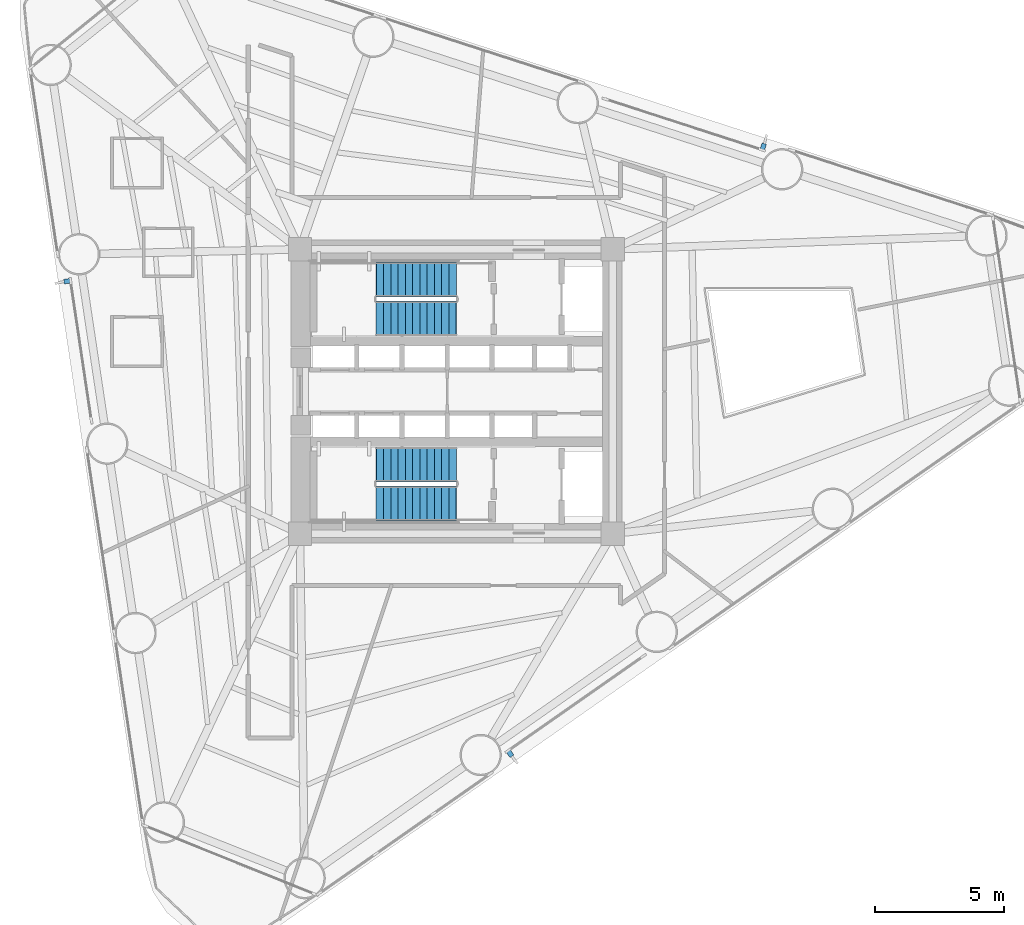
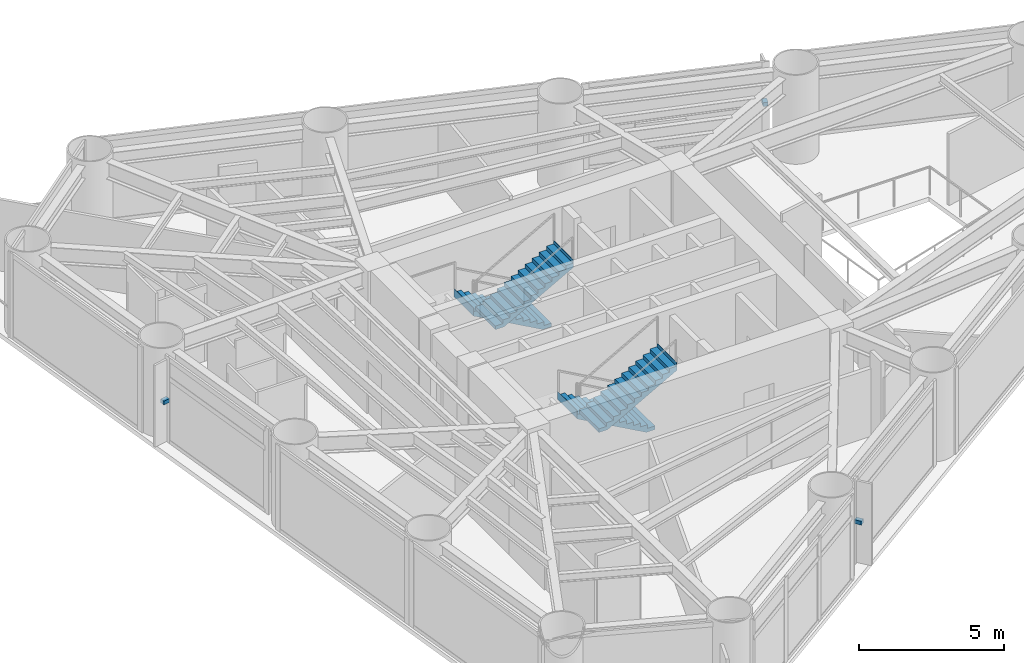
# One storey, part 7 of 9: 4 stair flights, 3 discrete accessories, 2 elements without a shape of their own.
"""IFC4 building model written with IfcOpenShell, lengths in metres."""

from ifc_helpers import new_model, si_unit, direction, frame, origin, origin_2d, place, context, subcontext, project, spatial, polyline, rectangle, outline, extrude, source, transform, mapped, material, type_object, element, aggregate, save


model = new_model("IFC4")

# Units and contexts
model_context = context("Model", 3, precision=1e-05, world=origin(), true_north=direction((0.0, 1.0)))
body_context = subcontext(model_context, "Body", "Model", "MODEL_VIEW")
ifc_project = project(units=[si_unit("LENGTHUNIT", "METRE"), si_unit("AREAUNIT", "SQUARE_METRE"), si_unit("VOLUMEUNIT", "CUBIC_METRE"), si_unit("PLANEANGLEUNIT", "RADIAN"), si_unit("MASSUNIT", "GRAM", prefix="KILO")], contexts=[model_context])

# Site, building, storey
site_placement = place(None, origin())
site = spatial("IfcSite", under=ifc_project, at=site_placement, CompositionType="ELEMENT")
building_placement = place(site_placement, origin())
building = spatial("IfcBuilding", under=site, at=building_placement, Name="Yunling Apex Tower", CompositionType="ELEMENT")
storey_placement = place(building_placement, frame((0.0, 0.0, 62.300048828125)))
storey = spatial("IfcBuildingStorey", under=building, at=storey_placement, Name="L16", CompositionType="ELEMENT", Elevation=62.300048828125)

# Stair, stair flights
ifc_material_1 = material(Name="Concrete C40", Category="concrete")
stair_type = type_object("IfcStairType", Name="ST-TWR-1", PredefinedType="HALF_TURN_STAIR", material=ifc_material_1)
stair_1_placement = place(storey_placement, origin())
stair_1 = element("IfcStair", 1, at=stair_1_placement, inside=storey, type_object=stair_type, Name="L16 North Core Smokeproof Exit Stair ST-1", PredefinedType="HALF_TURN_STAIR")
stair_flight_type = type_object("IfcStairFlightType", Name="SFL-TWR-1", PredefinedType="STRAIGHT", material=ifc_material_1)
stair_flight_1_placement = place(storey_placement, frame((-0.010009765625, 4.330078125, 0.0), z_axis=(0.0, 0.0, 1.0), x_axis=(-1.0, 0.0, 0.0)))
stair_flight_1 = element("IfcStairFlight", 2, at=stair_flight_1_placement, type_object=stair_flight_type, Name="ST-1 flight 1", NumberOfRisers=12, NumberOfTreads=11, PredefinedType="STRAIGHT", RiserHeight=0.15625, TreadLength=0.28, context=body_context, shape_type="SweptSolid", body=[
    extrude(outline(polyline([(-0.011962890625, 0.0), (-0.011962890625, 0.15625), (0.0, 0.15625), (0.280029296875, 0.15625), (0.280029296875, 0.3125), (0.56005859375, 0.3125), (0.56005859375, 0.46875), (0.840087890625, 0.46875), (0.840087890625, 0.625), (1.1201171875, 0.625), (1.1201171875, 0.78125), (1.39990234375, 0.78125), (1.39990234375, 0.9375), (1.679931640625, 0.9375), (1.679931640625, 1.09375), (1.9599609375, 1.09375), (1.9599609375, 1.25), (2.239990234375, 1.25), (2.239990234375, 1.40625), (2.52001953125, 1.40625), (2.52001953125, 1.5625), (2.800048828125, 1.5625), (2.800048828125, 1.71875), (3.080078125, 1.71875), (3.080078125, 1.875), (3.092041015625, 1.875), (3.092041015625, 1.53564453125), (0.328125, 0.0), (-0.011962890625, 0.0)])), frame((0.0, 0.68017578125, 0.0), z_axis=(0.0, -1.0, 0.0), x_axis=(1.0, 0.0, 0.0)), (0.0, 0.0, 1.0), 1.360107421875),
])
stair_flight_2_placement = place(storey_placement, frame((-3.090087890625, 2.820068359375, 1.875), z_axis=(0.0, 0.0, 1.0), x_axis=(1.0, 0.0, 0.0)))
stair_flight_2 = element("IfcStairFlight", 3, at=stair_flight_2_placement, type_object=stair_flight_type, Name="ST-1 flight 2", NumberOfRisers=12, NumberOfTreads=11, PredefinedType="STRAIGHT", RiserHeight=0.15625, TreadLength=0.28, context=body_context, shape_type="SweptSolid", body=[
    extrude(outline(polyline([(-0.011962890625, 0.0), (-0.011962890625, 0.15625), (0.0, 0.15625), (0.280029296875, 0.15625), (0.280029296875, 0.3125), (0.56005859375, 0.3125), (0.56005859375, 0.46875), (0.840087890625, 0.46875), (0.840087890625, 0.625), (1.1201171875, 0.625), (1.1201171875, 0.78125), (1.39990234375, 0.78125), (1.39990234375, 0.9375), (1.679931640625, 0.9375), (1.679931640625, 1.09375), (1.9599609375, 1.09375), (1.9599609375, 1.25), (2.239990234375, 1.25), (2.239990234375, 1.40625), (2.52001953125, 1.40625), (2.52001953125, 1.5625), (2.800048828125, 1.5625), (2.800048828125, 1.71875), (3.080078125, 1.71875), (3.080078125, 1.875), (3.092041015625, 1.875), (3.092041015625, 1.53564453125), (0.328125, 0.0), (-0.011962890625, 0.0)])), frame((0.0, 0.68017578125, 0.0), z_axis=(0.0, -1.0, 0.0), x_axis=(1.0, 0.0, 0.0)), (0.0, 0.0, 1.0), 1.360107421875),
])
aggregate(stair_1, [stair_flight_1, stair_flight_2])

stair_2_placement = place(storey_placement, origin())
stair_2 = element("IfcStair", 4, at=stair_2_placement, inside=storey, type_object=stair_type, Name="L16 South Core Smokeproof Exit Stair ST-2", PredefinedType="HALF_TURN_STAIR")
stair_flight_3_placement = place(storey_placement, frame((-0.010009765625, -2.820068359375, 0.0), z_axis=(0.0, 0.0, 1.0), x_axis=(-1.0, 0.0, 0.0)))
stair_flight_3 = element("IfcStairFlight", 5, at=stair_flight_3_placement, type_object=stair_flight_type, Name="ST-2 flight 1", NumberOfRisers=12, NumberOfTreads=11, PredefinedType="STRAIGHT", RiserHeight=0.15625, TreadLength=0.28, context=body_context, shape_type="SweptSolid", body=[
    extrude(outline(polyline([(-0.011962890625, 0.0), (-0.011962890625, 0.15625), (0.0, 0.15625), (0.280029296875, 0.15625), (0.280029296875, 0.3125), (0.56005859375, 0.3125), (0.56005859375, 0.46875), (0.840087890625, 0.46875), (0.840087890625, 0.625), (1.1201171875, 0.625), (1.1201171875, 0.78125), (1.39990234375, 0.78125), (1.39990234375, 0.9375), (1.679931640625, 0.9375), (1.679931640625, 1.09375), (1.9599609375, 1.09375), (1.9599609375, 1.25), (2.239990234375, 1.25), (2.239990234375, 1.40625), (2.52001953125, 1.40625), (2.52001953125, 1.5625), (2.800048828125, 1.5625), (2.800048828125, 1.71875), (3.080078125, 1.71875), (3.080078125, 1.875), (3.092041015625, 1.875), (3.092041015625, 1.53564453125), (0.328125, 0.0), (-0.011962890625, 0.0)])), frame((0.0, 0.68017578125, 0.0), z_axis=(0.0, -1.0, 0.0), x_axis=(1.0, 0.0, 0.0)), (0.0, 0.0, 1.0), 1.360107421875),
])
stair_flight_4_placement = place(storey_placement, frame((-3.090087890625, -4.330078125, 1.875), z_axis=(0.0, 0.0, 1.0), x_axis=(1.0, 0.0, 0.0)))
stair_flight_4 = element("IfcStairFlight", 6, at=stair_flight_4_placement, type_object=stair_flight_type, Name="ST-2 flight 2", NumberOfRisers=12, NumberOfTreads=11, PredefinedType="STRAIGHT", RiserHeight=0.15625, TreadLength=0.28, context=body_context, shape_type="SweptSolid", body=[
    extrude(outline(polyline([(-0.011962890625, 0.0), (-0.011962890625, 0.15625), (0.0, 0.15625), (0.280029296875, 0.15625), (0.280029296875, 0.3125), (0.56005859375, 0.3125), (0.56005859375, 0.46875), (0.840087890625, 0.46875), (0.840087890625, 0.625), (1.1201171875, 0.625), (1.1201171875, 0.78125), (1.39990234375, 0.78125), (1.39990234375, 0.9375), (1.679931640625, 0.9375), (1.679931640625, 1.09375), (1.9599609375, 1.09375), (1.9599609375, 1.25), (2.239990234375, 1.25), (2.239990234375, 1.40625), (2.52001953125, 1.40625), (2.52001953125, 1.5625), (2.800048828125, 1.5625), (2.800048828125, 1.71875), (3.080078125, 1.71875), (3.080078125, 1.875), (3.092041015625, 1.875), (3.092041015625, 1.53564453125), (0.328125, 0.0), (-0.011962890625, 0.0)])), frame((0.0, 0.68017578125, 0.0), z_axis=(0.0, -1.0, 0.0), x_axis=(1.0, 0.0, 0.0)), (0.0, 0.0, 1.0), 1.360107421875),
])
aggregate(stair_2, [stair_flight_3, stair_flight_4])

# Discrete accessories
ifc_material_2 = material(Name="Steel Q355B", Category="steel")
discrete_accessory_type = type_object("IfcDiscreteAccessoryType", Name="BK-FIN-1", PredefinedType="BRACKET", material=ifc_material_2)
shared_shape = source(origin(), body_context, "Body", "SweptSolid", [
    extrude(rectangle(XDim=0.179931640625, YDim=0.260009765625, at=origin_2d()), origin(), (0.0, 0.0, 1.0), 0.159912109375),
])
for number, where, z_axis, x_axis, name in (
    (7, (2.07421875, -13.998291015625, 1.70263671875), (0.0, 0.0, 1.0), (0.819552276527, 0.573004420611, 0.0), "CW-L16-F1-B2-BRK-01-1"),
    (8, (11.86865234375, 9.462158203125, 1.70263671875), (0.0, 0.0, 1.0), (-0.951272019071, 0.30835295642, 0.0), "CW-L16-F2-B2-BRK-01-1"),
    (9, (-15.0458984375, 4.265380859375, 1.70263671875), (0.0, 0.0, 1.0), (0.14780941113, -0.989015863362, 0.0), "CW-L16-F3-B2-BRK-01-1"),
):
    element("IfcDiscreteAccessory", number, at=place(storey_placement, frame(where, z_axis=z_axis, x_axis=x_axis)), inside=storey, type_object=discrete_accessory_type, Name=name, PredefinedType="BRACKET", context=body_context, shape_type="MappedRepresentation", body=[
        mapped(shared_shape, transform((0.0, 0.0, 0.0), scale=1.0)),
    ])

save(model, "model.ifc")
